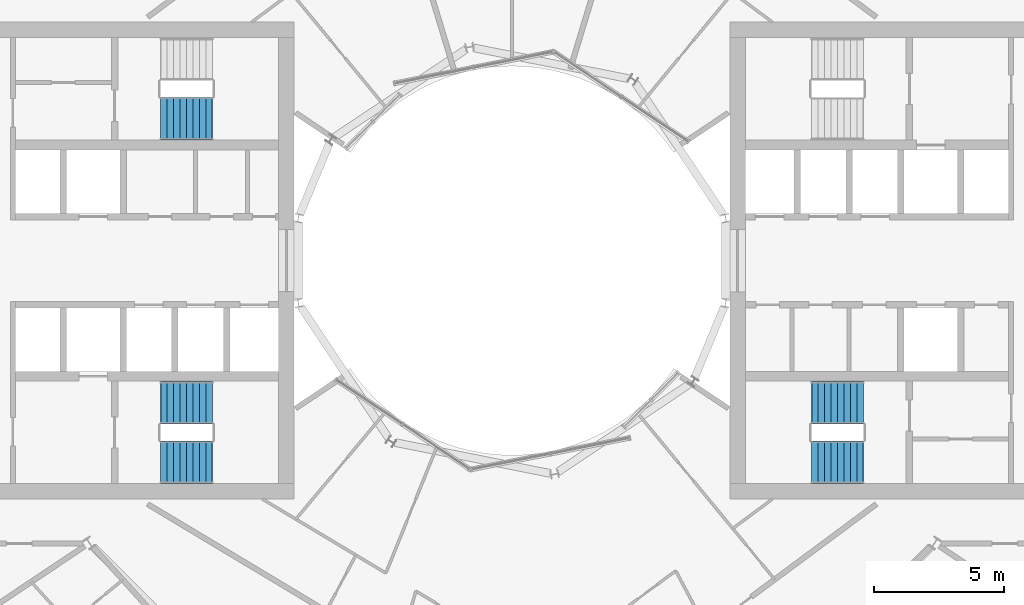
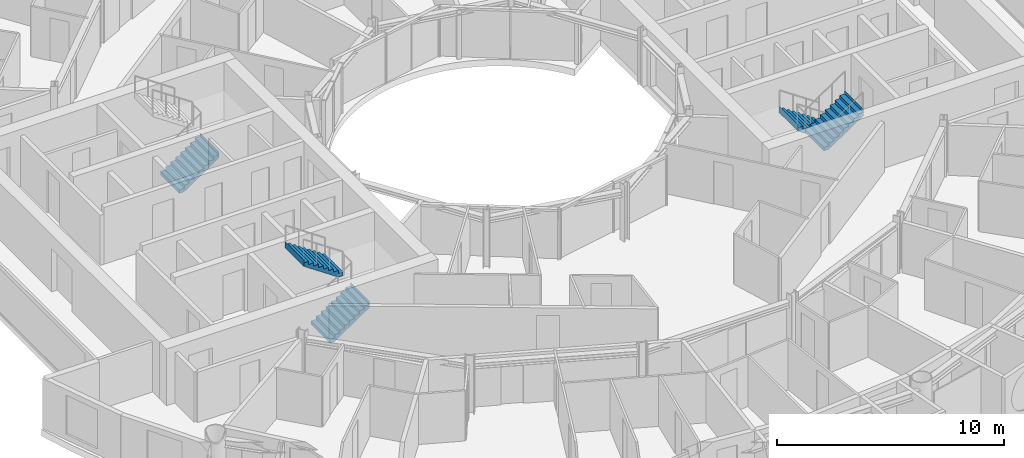
# One storey, part 24 of 27: 5 stair flights, 3 elements without a shape of their own.
"""IFC4 building model written with IfcOpenShell, lengths in metres."""

from ifc_helpers import new_model, si_unit, direction, frame, origin, place, context, subcontext, project, spatial, triangles, material, type_object, element, aggregate, save


model = new_model("IFC4")

# Units and contexts
model_context = context("Model", 3, precision=1e-05, world=origin(), true_north=direction((0.0, 1.0)))
body_context = subcontext(model_context, "Body", "Model", "MODEL_VIEW")
ifc_project = project(units=[si_unit("LENGTHUNIT", "METRE"), si_unit("AREAUNIT", "SQUARE_METRE"), si_unit("VOLUMEUNIT", "CUBIC_METRE"), si_unit("PLANEANGLEUNIT", "RADIAN"), si_unit("MASSUNIT", "GRAM", prefix="KILO")], contexts=[model_context])

# Site, building, storey
site_placement = place(None, origin())
site = spatial("IfcSite", under=ifc_project, at=site_placement, CompositionType="ELEMENT")
building_placement = place(site_placement, origin())
building = spatial("IfcBuilding", under=site, at=building_placement, Name="Maasbend Ring Residences", CompositionType="ELEMENT")
storey_placement = place(building_placement, frame((0.0, 0.0, 120.800048828125)))
storey = spatial("IfcBuildingStorey", under=building, at=storey_placement, Name="L34", CompositionType="ELEMENT", Elevation=120.800048828125)

# Stair, stair flights
ifc_material_1 = material(Name="Concrete C40/50", Category="concrete")
stair_type = type_object("IfcStairType", Name="CORE STAIR 18 RISERS", PredefinedType="HALF_TURN_STAIR", material=ifc_material_1)
stair_1_placement = place(storey_placement, origin())
stair_1 = element("IfcStair", 1, at=stair_1_placement, inside=storey, type_object=stair_type, Name="L34 Exit stair ST-E2", PredefinedType="HALF_TURN_STAIR")
ifc_material_2 = material(Name="Concrete C40/50", Category="concrete")
stair_flight_type = type_object("IfcStairFlightType", Name="CORE STAIR FLIGHT 1650", PredefinedType="STRAIGHT", material=ifc_material_2)
stair_flight_1_placement = place(storey_placement, frame((13.550048828125, -5.47509765625, 0.0), z_axis=(0.0, 0.0, 1.0), x_axis=(-1.0, 0.0, 0.0)))
stair_flight_1 = element("IfcStairFlight", 2, at=stair_flight_1_placement, type_object=stair_flight_type, Name="ST-E2 flight 1", NumberOfRisers=9, NumberOfTreads=8, PredefinedType="STRAIGHT", RiserHeight=0.169444444, TreadLength=0.25, context=body_context, shape_type="Tessellation", body=[
    triangles([(0.24072265625, 0.824951171875, -0.02001953125), (2.0029296875, 0.824951171875, 1.174560546875), (2.0029296875, 0.824951171875, 1.52490234375), (1.989990234375, 0.824951171875, 1.35546875), (1.75, 0.824951171875, 1.35546875), (1.75, 0.824951171875, 1.18603515625), (1.5, 0.824951171875, 1.18603515625), (1.5, 0.824951171875, 1.0166015625), (1.25, 0.824951171875, 1.0166015625), (1.25, 0.824951171875, 0.84716796875), (1.0, 0.824951171875, 0.84716796875), (1.0, 0.824951171875, 0.677734375), (0.75, 0.824951171875, 0.677734375), (0.75, 0.824951171875, 0.50830078125), (0.5, 0.824951171875, 0.50830078125), (0.5, 0.824951171875, 0.3388671875), (0.25, 0.824951171875, 0.3388671875), (0.25, 0.824951171875, 0.16943359375), (0.0, 0.824951171875, 0.16943359375), (0.0, 0.824951171875, 0.0), (-0.0029296875, 0.824951171875, 0.0), (-0.0029296875, 0.824951171875, -0.02001953125), (0.24072265625, 0.27490234375, -0.02001953125), (2.0029296875, 0.27490234375, 1.174560546875), (2.0029296875, 0.27490234375, 1.52490234375), (1.989990234375, 0.27490234375, 1.35546875), (1.75, 0.27490234375, 1.35546875), (1.75, 0.27490234375, 1.18603515625), (1.5, 0.27490234375, 1.18603515625), (1.5, 0.27490234375, 1.0166015625), (1.25, 0.27490234375, 1.0166015625), (1.25, 0.27490234375, 0.84716796875), (1.0, 0.27490234375, 0.84716796875), (1.0, 0.27490234375, 0.677734375), (0.75, 0.27490234375, 0.677734375), (0.75, 0.27490234375, 0.50830078125), (0.5, 0.27490234375, 0.50830078125), (0.5, 0.27490234375, 0.3388671875), (0.25, 0.27490234375, 0.3388671875), (0.25, 0.27490234375, 0.16943359375), (0.0, 0.27490234375, 0.16943359375), (0.0, 0.27490234375, 0.0), (-0.0029296875, 0.27490234375, 0.0), (-0.0029296875, 0.27490234375, -0.02001953125), (0.24072265625, -0.27490234375, -0.02001953125), (2.0029296875, -0.27490234375, 1.174560546875), (2.0029296875, -0.27490234375, 1.52490234375), (1.989990234375, -0.27490234375, 1.35546875), (1.75, -0.27490234375, 1.35546875), (1.75, -0.27490234375, 1.18603515625), (1.5, -0.27490234375, 1.18603515625), (1.5, -0.27490234375, 1.0166015625), (1.25, -0.27490234375, 1.0166015625), (1.25, -0.27490234375, 0.84716796875), (1.0, -0.27490234375, 0.84716796875), (1.0, -0.27490234375, 0.677734375), (0.75, -0.27490234375, 0.677734375), (0.75, -0.27490234375, 0.50830078125), (0.5, -0.27490234375, 0.50830078125), (0.5, -0.27490234375, 0.3388671875), (0.25, -0.27490234375, 0.3388671875), (0.25, -0.27490234375, 0.16943359375), (0.0, -0.27490234375, 0.16943359375), (0.0, -0.27490234375, 0.0), (-0.0029296875, -0.27490234375, 0.0), (-0.0029296875, -0.27490234375, -0.02001953125), (0.24072265625, -0.824951171875, -0.02001953125), (2.0029296875, -0.824951171875, 1.174560546875), (2.0029296875, -0.824951171875, 1.52490234375), (1.989990234375, -0.824951171875, 1.35546875), (1.75, -0.824951171875, 1.35546875), (1.75, -0.824951171875, 1.18603515625), (1.5, -0.824951171875, 1.18603515625), (1.5, -0.824951171875, 1.0166015625), (1.25, -0.824951171875, 1.0166015625), (1.25, -0.824951171875, 0.84716796875), (1.0, -0.824951171875, 0.84716796875), (1.0, -0.824951171875, 0.677734375), (0.75, -0.824951171875, 0.677734375), (0.75, -0.824951171875, 0.50830078125), (0.5, -0.824951171875, 0.50830078125), (0.5, -0.824951171875, 0.3388671875), (0.25, -0.824951171875, 0.3388671875), (0.25, -0.824951171875, 0.16943359375), (0.0, -0.824951171875, 0.16943359375), (0.0, -0.824951171875, 0.0), (-0.0029296875, -0.824951171875, 0.0), (-0.0029296875, -0.824951171875, -0.02001953125)], [[1, 2, 24], [1, 24, 23], [23, 24, 46], [23, 46, 45], [45, 46, 68], [45, 68, 67], [2, 3, 25], [2, 25, 24], [24, 25, 47], [24, 47, 46], [46, 47, 69], [46, 69, 68], [3, 4, 26], [3, 26, 25], [25, 26, 48], [25, 48, 47], [47, 48, 70], [47, 70, 69], [4, 5, 27], [4, 27, 26], [26, 27, 49], [26, 49, 48], [48, 49, 71], [48, 71, 70], [5, 6, 28], [5, 28, 27], [27, 28, 50], [27, 50, 49], [49, 50, 72], [49, 72, 71], [6, 7, 29], [6, 29, 28], [28, 29, 51], [28, 51, 50], [50, 51, 73], [50, 73, 72], [7, 8, 30], [7, 30, 29], [29, 30, 52], [29, 52, 51], [51, 52, 74], [51, 74, 73], [8, 9, 31], [8, 31, 30], [30, 31, 53], [30, 53, 52], [52, 53, 75], [52, 75, 74], [9, 10, 32], [9, 32, 31], [31, 32, 54], [31, 54, 53], [53, 54, 76], [53, 76, 75], [10, 11, 33], [10, 33, 32], [32, 33, 55], [32, 55, 54], [54, 55, 77], [54, 77, 76], [11, 12, 34], [11, 34, 33], [33, 34, 56], [33, 56, 55], [55, 56, 78], [55, 78, 77], [12, 13, 35], [12, 35, 34], [34, 35, 57], [34, 57, 56], [56, 57, 79], [56, 79, 78], [13, 14, 36], [13, 36, 35], [35, 36, 58], [35, 58, 57], [57, 58, 80], [57, 80, 79], [14, 15, 37], [14, 37, 36], [36, 37, 59], [36, 59, 58], [58, 59, 81], [58, 81, 80], [15, 16, 38], [15, 38, 37], [37, 38, 60], [37, 60, 59], [59, 60, 82], [59, 82, 81], [16, 17, 39], [16, 39, 38], [38, 39, 61], [38, 61, 60], [60, 61, 83], [60, 83, 82], [17, 18, 40], [17, 40, 39], [39, 40, 62], [39, 62, 61], [61, 62, 84], [61, 84, 83], [18, 19, 41], [18, 41, 40], [40, 41, 63], [40, 63, 62], [62, 63, 85], [62, 85, 84], [19, 20, 42], [19, 42, 41], [41, 42, 64], [41, 64, 63], [63, 64, 86], [63, 86, 85], [20, 21, 43], [20, 43, 42], [42, 43, 65], [42, 65, 64], [64, 65, 87], [64, 87, 86], [21, 22, 44], [21, 44, 43], [43, 44, 66], [43, 66, 65], [65, 66, 88], [65, 88, 87], [22, 1, 23], [22, 23, 44], [44, 23, 45], [44, 45, 66], [66, 45, 67], [66, 67, 88], [22, 2, 1], [2, 4, 3], [2, 5, 4], [2, 6, 5], [22, 6, 2], [6, 8, 7], [22, 8, 6], [8, 10, 9], [22, 10, 8], [10, 12, 11], [22, 12, 10], [12, 14, 13], [22, 14, 12], [14, 16, 15], [22, 16, 14], [16, 18, 17], [22, 18, 16], [18, 20, 19], [22, 20, 18], [20, 22, 21], [88, 67, 68], [68, 69, 70], [68, 70, 71], [68, 71, 72], [88, 68, 72], [72, 73, 74], [88, 72, 74], [74, 75, 76], [88, 74, 76], [76, 77, 78], [88, 76, 78], [78, 79, 80], [88, 78, 80], [80, 81, 82], [88, 80, 82], [82, 83, 84], [88, 82, 84], [84, 85, 86], [88, 84, 86], [86, 87, 88]], closed=True),
])
stair_flight_2_placement = place(storey_placement, frame((11.550048828125, -7.77490234375, 1.52490234375), z_axis=(0.0, 0.0, 1.0), x_axis=(1.0, 0.0, 0.0)))
stair_flight_2 = element("IfcStairFlight", 3, at=stair_flight_2_placement, type_object=stair_flight_type, Name="ST-E2 flight 2", NumberOfRisers=9, NumberOfTreads=8, PredefinedType="STRAIGHT", RiserHeight=0.169444444, TreadLength=0.25, context=body_context, shape_type="Tessellation", body=[
    triangles([(0.24072265625, 0.824951171875, -0.02001953125), (2.0029296875, 0.824951171875, 1.174560546875), (2.0029296875, 0.824951171875, 1.52490234375), (1.989990234375, 0.824951171875, 1.35546875), (1.75, 0.824951171875, 1.35546875), (1.75, 0.824951171875, 1.18603515625), (1.5, 0.824951171875, 1.18603515625), (1.5, 0.824951171875, 1.0166015625), (1.25, 0.824951171875, 1.0166015625), (1.25, 0.824951171875, 0.84716796875), (1.0, 0.824951171875, 0.84716796875), (1.0, 0.824951171875, 0.677734375), (0.75, 0.824951171875, 0.677734375), (0.75, 0.824951171875, 0.50830078125), (0.5, 0.824951171875, 0.50830078125), (0.5, 0.824951171875, 0.3388671875), (0.25, 0.824951171875, 0.3388671875), (0.25, 0.824951171875, 0.16943359375), (0.0, 0.824951171875, 0.16943359375), (0.0, 0.824951171875, 0.0), (-0.0029296875, 0.824951171875, 0.0), (-0.0029296875, 0.824951171875, -0.02001953125), (0.24072265625, 0.27490234375, -0.02001953125), (2.0029296875, 0.27490234375, 1.174560546875), (2.0029296875, 0.27490234375, 1.52490234375), (1.989990234375, 0.27490234375, 1.35546875), (1.75, 0.27490234375, 1.35546875), (1.75, 0.27490234375, 1.18603515625), (1.5, 0.27490234375, 1.18603515625), (1.5, 0.27490234375, 1.0166015625), (1.25, 0.27490234375, 1.0166015625), (1.25, 0.27490234375, 0.84716796875), (1.0, 0.27490234375, 0.84716796875), (1.0, 0.27490234375, 0.677734375), (0.75, 0.27490234375, 0.677734375), (0.75, 0.27490234375, 0.50830078125), (0.5, 0.27490234375, 0.50830078125), (0.5, 0.27490234375, 0.3388671875), (0.25, 0.27490234375, 0.3388671875), (0.25, 0.27490234375, 0.16943359375), (0.0, 0.27490234375, 0.16943359375), (0.0, 0.27490234375, 0.0), (-0.0029296875, 0.27490234375, 0.0), (-0.0029296875, 0.27490234375, -0.02001953125), (0.24072265625, -0.27490234375, -0.02001953125), (2.0029296875, -0.27490234375, 1.174560546875), (2.0029296875, -0.27490234375, 1.52490234375), (1.989990234375, -0.27490234375, 1.35546875), (1.75, -0.27490234375, 1.35546875), (1.75, -0.27490234375, 1.18603515625), (1.5, -0.27490234375, 1.18603515625), (1.5, -0.27490234375, 1.0166015625), (1.25, -0.27490234375, 1.0166015625), (1.25, -0.27490234375, 0.84716796875), (1.0, -0.27490234375, 0.84716796875), (1.0, -0.27490234375, 0.677734375), (0.75, -0.27490234375, 0.677734375), (0.75, -0.27490234375, 0.50830078125), (0.5, -0.27490234375, 0.50830078125), (0.5, -0.27490234375, 0.3388671875), (0.25, -0.27490234375, 0.3388671875), (0.25, -0.27490234375, 0.16943359375), (0.0, -0.27490234375, 0.16943359375), (0.0, -0.27490234375, 0.0), (-0.0029296875, -0.27490234375, 0.0), (-0.0029296875, -0.27490234375, -0.02001953125), (0.24072265625, -0.824951171875, -0.02001953125), (2.0029296875, -0.824951171875, 1.174560546875), (2.0029296875, -0.824951171875, 1.52490234375), (1.989990234375, -0.824951171875, 1.35546875), (1.75, -0.824951171875, 1.35546875), (1.75, -0.824951171875, 1.18603515625), (1.5, -0.824951171875, 1.18603515625), (1.5, -0.824951171875, 1.0166015625), (1.25, -0.824951171875, 1.0166015625), (1.25, -0.824951171875, 0.84716796875), (1.0, -0.824951171875, 0.84716796875), (1.0, -0.824951171875, 0.677734375), (0.75, -0.824951171875, 0.677734375), (0.75, -0.824951171875, 0.50830078125), (0.5, -0.824951171875, 0.50830078125), (0.5, -0.824951171875, 0.3388671875), (0.25, -0.824951171875, 0.3388671875), (0.25, -0.824951171875, 0.16943359375), (0.0, -0.824951171875, 0.16943359375), (0.0, -0.824951171875, 0.0), (-0.0029296875, -0.824951171875, 0.0), (-0.0029296875, -0.824951171875, -0.02001953125)], [[1, 2, 24], [1, 24, 23], [23, 24, 46], [23, 46, 45], [45, 46, 68], [45, 68, 67], [2, 3, 25], [2, 25, 24], [24, 25, 47], [24, 47, 46], [46, 47, 69], [46, 69, 68], [3, 4, 26], [3, 26, 25], [25, 26, 48], [25, 48, 47], [47, 48, 70], [47, 70, 69], [4, 5, 27], [4, 27, 26], [26, 27, 49], [26, 49, 48], [48, 49, 71], [48, 71, 70], [5, 6, 28], [5, 28, 27], [27, 28, 50], [27, 50, 49], [49, 50, 72], [49, 72, 71], [6, 7, 29], [6, 29, 28], [28, 29, 51], [28, 51, 50], [50, 51, 73], [50, 73, 72], [7, 8, 30], [7, 30, 29], [29, 30, 52], [29, 52, 51], [51, 52, 74], [51, 74, 73], [8, 9, 31], [8, 31, 30], [30, 31, 53], [30, 53, 52], [52, 53, 75], [52, 75, 74], [9, 10, 32], [9, 32, 31], [31, 32, 54], [31, 54, 53], [53, 54, 76], [53, 76, 75], [10, 11, 33], [10, 33, 32], [32, 33, 55], [32, 55, 54], [54, 55, 77], [54, 77, 76], [11, 12, 34], [11, 34, 33], [33, 34, 56], [33, 56, 55], [55, 56, 78], [55, 78, 77], [12, 13, 35], [12, 35, 34], [34, 35, 57], [34, 57, 56], [56, 57, 79], [56, 79, 78], [13, 14, 36], [13, 36, 35], [35, 36, 58], [35, 58, 57], [57, 58, 80], [57, 80, 79], [14, 15, 37], [14, 37, 36], [36, 37, 59], [36, 59, 58], [58, 59, 81], [58, 81, 80], [15, 16, 38], [15, 38, 37], [37, 38, 60], [37, 60, 59], [59, 60, 82], [59, 82, 81], [16, 17, 39], [16, 39, 38], [38, 39, 61], [38, 61, 60], [60, 61, 83], [60, 83, 82], [17, 18, 40], [17, 40, 39], [39, 40, 62], [39, 62, 61], [61, 62, 84], [61, 84, 83], [18, 19, 41], [18, 41, 40], [40, 41, 63], [40, 63, 62], [62, 63, 85], [62, 85, 84], [19, 20, 42], [19, 42, 41], [41, 42, 64], [41, 64, 63], [63, 64, 86], [63, 86, 85], [20, 21, 43], [20, 43, 42], [42, 43, 65], [42, 65, 64], [64, 65, 87], [64, 87, 86], [21, 22, 44], [21, 44, 43], [43, 44, 66], [43, 66, 65], [65, 66, 88], [65, 88, 87], [22, 1, 23], [22, 23, 44], [44, 23, 45], [44, 45, 66], [66, 45, 67], [66, 67, 88], [22, 2, 1], [2, 4, 3], [2, 5, 4], [2, 6, 5], [22, 6, 2], [6, 8, 7], [22, 8, 6], [8, 10, 9], [22, 10, 8], [10, 12, 11], [22, 12, 10], [12, 14, 13], [22, 14, 12], [14, 16, 15], [22, 16, 14], [16, 18, 17], [22, 18, 16], [18, 20, 19], [22, 20, 18], [20, 22, 21], [88, 67, 68], [68, 69, 70], [68, 70, 71], [68, 71, 72], [88, 68, 72], [72, 73, 74], [88, 72, 74], [74, 75, 76], [88, 74, 76], [76, 77, 78], [88, 76, 78], [78, 79, 80], [88, 78, 80], [80, 81, 82], [88, 80, 82], [82, 83, 84], [88, 82, 84], [84, 85, 86], [88, 84, 86], [86, 87, 88]], closed=True),
])
aggregate(stair_1, [stair_flight_1, stair_flight_2])

stair_2_placement = place(storey_placement, origin())
stair_2 = element("IfcStair", 4, at=stair_2_placement, inside=storey, type_object=stair_type, Name="L34 Exit stair ST-W1", PredefinedType="HALF_TURN_STAIR")
stair_flight_3_placement = place(storey_placement, frame((-13.550048828125, -7.77490234375, 0.0), z_axis=(0.0, 0.0, 1.0), x_axis=(1.0, 0.0, 0.0)))
stair_flight_3 = element("IfcStairFlight", 5, at=stair_flight_3_placement, type_object=stair_flight_type, Name="ST-W1 flight 1", NumberOfRisers=9, NumberOfTreads=8, PredefinedType="STRAIGHT", RiserHeight=0.169444444, TreadLength=0.25, context=body_context, shape_type="Tessellation", body=[
    triangles([(0.24072265625, 0.824951171875, -0.02001953125), (2.0029296875, 0.824951171875, 1.174560546875), (2.0029296875, 0.824951171875, 1.52490234375), (1.989990234375, 0.824951171875, 1.35546875), (1.75, 0.824951171875, 1.35546875), (1.75, 0.824951171875, 1.18603515625), (1.5, 0.824951171875, 1.18603515625), (1.5, 0.824951171875, 1.0166015625), (1.25, 0.824951171875, 1.0166015625), (1.25, 0.824951171875, 0.84716796875), (1.0, 0.824951171875, 0.84716796875), (1.0, 0.824951171875, 0.677734375), (0.75, 0.824951171875, 0.677734375), (0.75, 0.824951171875, 0.50830078125), (0.5, 0.824951171875, 0.50830078125), (0.5, 0.824951171875, 0.3388671875), (0.25, 0.824951171875, 0.3388671875), (0.25, 0.824951171875, 0.16943359375), (0.0, 0.824951171875, 0.16943359375), (0.0, 0.824951171875, 0.0), (-0.0029296875, 0.824951171875, 0.0), (-0.0029296875, 0.824951171875, -0.02001953125), (0.24072265625, 0.27490234375, -0.02001953125), (2.0029296875, 0.27490234375, 1.174560546875), (2.0029296875, 0.27490234375, 1.52490234375), (1.989990234375, 0.27490234375, 1.35546875), (1.75, 0.27490234375, 1.35546875), (1.75, 0.27490234375, 1.18603515625), (1.5, 0.27490234375, 1.18603515625), (1.5, 0.27490234375, 1.0166015625), (1.25, 0.27490234375, 1.0166015625), (1.25, 0.27490234375, 0.84716796875), (1.0, 0.27490234375, 0.84716796875), (1.0, 0.27490234375, 0.677734375), (0.75, 0.27490234375, 0.677734375), (0.75, 0.27490234375, 0.50830078125), (0.5, 0.27490234375, 0.50830078125), (0.5, 0.27490234375, 0.3388671875), (0.25, 0.27490234375, 0.3388671875), (0.25, 0.27490234375, 0.16943359375), (0.0, 0.27490234375, 0.16943359375), (0.0, 0.27490234375, 0.0), (-0.0029296875, 0.27490234375, 0.0), (-0.0029296875, 0.27490234375, -0.02001953125), (0.24072265625, -0.27490234375, -0.02001953125), (2.0029296875, -0.27490234375, 1.174560546875), (2.0029296875, -0.27490234375, 1.52490234375), (1.989990234375, -0.27490234375, 1.35546875), (1.75, -0.27490234375, 1.35546875), (1.75, -0.27490234375, 1.18603515625), (1.5, -0.27490234375, 1.18603515625), (1.5, -0.27490234375, 1.0166015625), (1.25, -0.27490234375, 1.0166015625), (1.25, -0.27490234375, 0.84716796875), (1.0, -0.27490234375, 0.84716796875), (1.0, -0.27490234375, 0.677734375), (0.75, -0.27490234375, 0.677734375), (0.75, -0.27490234375, 0.50830078125), (0.5, -0.27490234375, 0.50830078125), (0.5, -0.27490234375, 0.3388671875), (0.25, -0.27490234375, 0.3388671875), (0.25, -0.27490234375, 0.16943359375), (0.0, -0.27490234375, 0.16943359375), (0.0, -0.27490234375, 0.0), (-0.0029296875, -0.27490234375, 0.0), (-0.0029296875, -0.27490234375, -0.02001953125), (0.24072265625, -0.824951171875, -0.02001953125), (2.0029296875, -0.824951171875, 1.174560546875), (2.0029296875, -0.824951171875, 1.52490234375), (1.989990234375, -0.824951171875, 1.35546875), (1.75, -0.824951171875, 1.35546875), (1.75, -0.824951171875, 1.18603515625), (1.5, -0.824951171875, 1.18603515625), (1.5, -0.824951171875, 1.0166015625), (1.25, -0.824951171875, 1.0166015625), (1.25, -0.824951171875, 0.84716796875), (1.0, -0.824951171875, 0.84716796875), (1.0, -0.824951171875, 0.677734375), (0.75, -0.824951171875, 0.677734375), (0.75, -0.824951171875, 0.50830078125), (0.5, -0.824951171875, 0.50830078125), (0.5, -0.824951171875, 0.3388671875), (0.25, -0.824951171875, 0.3388671875), (0.25, -0.824951171875, 0.16943359375), (0.0, -0.824951171875, 0.16943359375), (0.0, -0.824951171875, 0.0), (-0.0029296875, -0.824951171875, 0.0), (-0.0029296875, -0.824951171875, -0.02001953125)], [[1, 2, 24], [1, 24, 23], [23, 24, 46], [23, 46, 45], [45, 46, 68], [45, 68, 67], [2, 3, 25], [2, 25, 24], [24, 25, 47], [24, 47, 46], [46, 47, 69], [46, 69, 68], [3, 4, 26], [3, 26, 25], [25, 26, 48], [25, 48, 47], [47, 48, 70], [47, 70, 69], [4, 5, 27], [4, 27, 26], [26, 27, 49], [26, 49, 48], [48, 49, 71], [48, 71, 70], [5, 6, 28], [5, 28, 27], [27, 28, 50], [27, 50, 49], [49, 50, 72], [49, 72, 71], [6, 7, 29], [6, 29, 28], [28, 29, 51], [28, 51, 50], [50, 51, 73], [50, 73, 72], [7, 8, 30], [7, 30, 29], [29, 30, 52], [29, 52, 51], [51, 52, 74], [51, 74, 73], [8, 9, 31], [8, 31, 30], [30, 31, 53], [30, 53, 52], [52, 53, 75], [52, 75, 74], [9, 10, 32], [9, 32, 31], [31, 32, 54], [31, 54, 53], [53, 54, 76], [53, 76, 75], [10, 11, 33], [10, 33, 32], [32, 33, 55], [32, 55, 54], [54, 55, 77], [54, 77, 76], [11, 12, 34], [11, 34, 33], [33, 34, 56], [33, 56, 55], [55, 56, 78], [55, 78, 77], [12, 13, 35], [12, 35, 34], [34, 35, 57], [34, 57, 56], [56, 57, 79], [56, 79, 78], [13, 14, 36], [13, 36, 35], [35, 36, 58], [35, 58, 57], [57, 58, 80], [57, 80, 79], [14, 15, 37], [14, 37, 36], [36, 37, 59], [36, 59, 58], [58, 59, 81], [58, 81, 80], [15, 16, 38], [15, 38, 37], [37, 38, 60], [37, 60, 59], [59, 60, 82], [59, 82, 81], [16, 17, 39], [16, 39, 38], [38, 39, 61], [38, 61, 60], [60, 61, 83], [60, 83, 82], [17, 18, 40], [17, 40, 39], [39, 40, 62], [39, 62, 61], [61, 62, 84], [61, 84, 83], [18, 19, 41], [18, 41, 40], [40, 41, 63], [40, 63, 62], [62, 63, 85], [62, 85, 84], [19, 20, 42], [19, 42, 41], [41, 42, 64], [41, 64, 63], [63, 64, 86], [63, 86, 85], [20, 21, 43], [20, 43, 42], [42, 43, 65], [42, 65, 64], [64, 65, 87], [64, 87, 86], [21, 22, 44], [21, 44, 43], [43, 44, 66], [43, 66, 65], [65, 66, 88], [65, 88, 87], [22, 1, 23], [22, 23, 44], [44, 23, 45], [44, 45, 66], [66, 45, 67], [66, 67, 88], [22, 2, 1], [2, 4, 3], [2, 5, 4], [2, 6, 5], [22, 6, 2], [6, 8, 7], [22, 8, 6], [8, 10, 9], [22, 10, 8], [10, 12, 11], [22, 12, 10], [12, 14, 13], [22, 14, 12], [14, 16, 15], [22, 16, 14], [16, 18, 17], [22, 18, 16], [18, 20, 19], [22, 20, 18], [20, 22, 21], [88, 67, 68], [68, 69, 70], [68, 70, 71], [68, 71, 72], [88, 68, 72], [72, 73, 74], [88, 72, 74], [74, 75, 76], [88, 74, 76], [76, 77, 78], [88, 76, 78], [78, 79, 80], [88, 78, 80], [80, 81, 82], [88, 80, 82], [82, 83, 84], [88, 82, 84], [84, 85, 86], [88, 84, 86], [86, 87, 88]], closed=True),
])
stair_flight_4_placement = place(storey_placement, frame((-11.550048828125, -5.47509765625, 1.52490234375), z_axis=(0.0, 0.0, 1.0), x_axis=(-1.0, 0.0, 0.0)))
stair_flight_4 = element("IfcStairFlight", 6, at=stair_flight_4_placement, type_object=stair_flight_type, Name="ST-W1 flight 2", NumberOfRisers=9, NumberOfTreads=8, PredefinedType="STRAIGHT", RiserHeight=0.169444444, TreadLength=0.25, context=body_context, shape_type="Tessellation", body=[
    triangles([(0.24072265625, 0.824951171875, -0.02001953125), (2.0029296875, 0.824951171875, 1.174560546875), (2.0029296875, 0.824951171875, 1.52490234375), (1.989990234375, 0.824951171875, 1.35546875), (1.75, 0.824951171875, 1.35546875), (1.75, 0.824951171875, 1.18603515625), (1.5, 0.824951171875, 1.18603515625), (1.5, 0.824951171875, 1.0166015625), (1.25, 0.824951171875, 1.0166015625), (1.25, 0.824951171875, 0.84716796875), (1.0, 0.824951171875, 0.84716796875), (1.0, 0.824951171875, 0.677734375), (0.75, 0.824951171875, 0.677734375), (0.75, 0.824951171875, 0.50830078125), (0.5, 0.824951171875, 0.50830078125), (0.5, 0.824951171875, 0.3388671875), (0.25, 0.824951171875, 0.3388671875), (0.25, 0.824951171875, 0.16943359375), (0.0, 0.824951171875, 0.16943359375), (0.0, 0.824951171875, 0.0), (-0.0029296875, 0.824951171875, 0.0), (-0.0029296875, 0.824951171875, -0.02001953125), (0.24072265625, 0.27490234375, -0.02001953125), (2.0029296875, 0.27490234375, 1.174560546875), (2.0029296875, 0.27490234375, 1.52490234375), (1.989990234375, 0.27490234375, 1.35546875), (1.75, 0.27490234375, 1.35546875), (1.75, 0.27490234375, 1.18603515625), (1.5, 0.27490234375, 1.18603515625), (1.5, 0.27490234375, 1.0166015625), (1.25, 0.27490234375, 1.0166015625), (1.25, 0.27490234375, 0.84716796875), (1.0, 0.27490234375, 0.84716796875), (1.0, 0.27490234375, 0.677734375), (0.75, 0.27490234375, 0.677734375), (0.75, 0.27490234375, 0.50830078125), (0.5, 0.27490234375, 0.50830078125), (0.5, 0.27490234375, 0.3388671875), (0.25, 0.27490234375, 0.3388671875), (0.25, 0.27490234375, 0.16943359375), (0.0, 0.27490234375, 0.16943359375), (0.0, 0.27490234375, 0.0), (-0.0029296875, 0.27490234375, 0.0), (-0.0029296875, 0.27490234375, -0.02001953125), (0.24072265625, -0.27490234375, -0.02001953125), (2.0029296875, -0.27490234375, 1.174560546875), (2.0029296875, -0.27490234375, 1.52490234375), (1.989990234375, -0.27490234375, 1.35546875), (1.75, -0.27490234375, 1.35546875), (1.75, -0.27490234375, 1.18603515625), (1.5, -0.27490234375, 1.18603515625), (1.5, -0.27490234375, 1.0166015625), (1.25, -0.27490234375, 1.0166015625), (1.25, -0.27490234375, 0.84716796875), (1.0, -0.27490234375, 0.84716796875), (1.0, -0.27490234375, 0.677734375), (0.75, -0.27490234375, 0.677734375), (0.75, -0.27490234375, 0.50830078125), (0.5, -0.27490234375, 0.50830078125), (0.5, -0.27490234375, 0.3388671875), (0.25, -0.27490234375, 0.3388671875), (0.25, -0.27490234375, 0.16943359375), (0.0, -0.27490234375, 0.16943359375), (0.0, -0.27490234375, 0.0), (-0.0029296875, -0.27490234375, 0.0), (-0.0029296875, -0.27490234375, -0.02001953125), (0.24072265625, -0.824951171875, -0.02001953125), (2.0029296875, -0.824951171875, 1.174560546875), (2.0029296875, -0.824951171875, 1.52490234375), (1.989990234375, -0.824951171875, 1.35546875), (1.75, -0.824951171875, 1.35546875), (1.75, -0.824951171875, 1.18603515625), (1.5, -0.824951171875, 1.18603515625), (1.5, -0.824951171875, 1.0166015625), (1.25, -0.824951171875, 1.0166015625), (1.25, -0.824951171875, 0.84716796875), (1.0, -0.824951171875, 0.84716796875), (1.0, -0.824951171875, 0.677734375), (0.75, -0.824951171875, 0.677734375), (0.75, -0.824951171875, 0.50830078125), (0.5, -0.824951171875, 0.50830078125), (0.5, -0.824951171875, 0.3388671875), (0.25, -0.824951171875, 0.3388671875), (0.25, -0.824951171875, 0.16943359375), (0.0, -0.824951171875, 0.16943359375), (0.0, -0.824951171875, 0.0), (-0.0029296875, -0.824951171875, 0.0), (-0.0029296875, -0.824951171875, -0.02001953125)], [[1, 2, 24], [1, 24, 23], [23, 24, 46], [23, 46, 45], [45, 46, 68], [45, 68, 67], [2, 3, 25], [2, 25, 24], [24, 25, 47], [24, 47, 46], [46, 47, 69], [46, 69, 68], [3, 4, 26], [3, 26, 25], [25, 26, 48], [25, 48, 47], [47, 48, 70], [47, 70, 69], [4, 5, 27], [4, 27, 26], [26, 27, 49], [26, 49, 48], [48, 49, 71], [48, 71, 70], [5, 6, 28], [5, 28, 27], [27, 28, 50], [27, 50, 49], [49, 50, 72], [49, 72, 71], [6, 7, 29], [6, 29, 28], [28, 29, 51], [28, 51, 50], [50, 51, 73], [50, 73, 72], [7, 8, 30], [7, 30, 29], [29, 30, 52], [29, 52, 51], [51, 52, 74], [51, 74, 73], [8, 9, 31], [8, 31, 30], [30, 31, 53], [30, 53, 52], [52, 53, 75], [52, 75, 74], [9, 10, 32], [9, 32, 31], [31, 32, 54], [31, 54, 53], [53, 54, 76], [53, 76, 75], [10, 11, 33], [10, 33, 32], [32, 33, 55], [32, 55, 54], [54, 55, 77], [54, 77, 76], [11, 12, 34], [11, 34, 33], [33, 34, 56], [33, 56, 55], [55, 56, 78], [55, 78, 77], [12, 13, 35], [12, 35, 34], [34, 35, 57], [34, 57, 56], [56, 57, 79], [56, 79, 78], [13, 14, 36], [13, 36, 35], [35, 36, 58], [35, 58, 57], [57, 58, 80], [57, 80, 79], [14, 15, 37], [14, 37, 36], [36, 37, 59], [36, 59, 58], [58, 59, 81], [58, 81, 80], [15, 16, 38], [15, 38, 37], [37, 38, 60], [37, 60, 59], [59, 60, 82], [59, 82, 81], [16, 17, 39], [16, 39, 38], [38, 39, 61], [38, 61, 60], [60, 61, 83], [60, 83, 82], [17, 18, 40], [17, 40, 39], [39, 40, 62], [39, 62, 61], [61, 62, 84], [61, 84, 83], [18, 19, 41], [18, 41, 40], [40, 41, 63], [40, 63, 62], [62, 63, 85], [62, 85, 84], [19, 20, 42], [19, 42, 41], [41, 42, 64], [41, 64, 63], [63, 64, 86], [63, 86, 85], [20, 21, 43], [20, 43, 42], [42, 43, 65], [42, 65, 64], [64, 65, 87], [64, 87, 86], [21, 22, 44], [21, 44, 43], [43, 44, 66], [43, 66, 65], [65, 66, 88], [65, 88, 87], [22, 1, 23], [22, 23, 44], [44, 23, 45], [44, 45, 66], [66, 45, 67], [66, 67, 88], [22, 2, 1], [2, 4, 3], [2, 5, 4], [2, 6, 5], [22, 6, 2], [6, 8, 7], [22, 8, 6], [8, 10, 9], [22, 10, 8], [10, 12, 11], [22, 12, 10], [12, 14, 13], [22, 14, 12], [14, 16, 15], [22, 16, 14], [16, 18, 17], [22, 18, 16], [18, 20, 19], [22, 20, 18], [20, 22, 21], [88, 67, 68], [68, 69, 70], [68, 70, 71], [68, 71, 72], [88, 68, 72], [72, 73, 74], [88, 72, 74], [74, 75, 76], [88, 74, 76], [76, 77, 78], [88, 76, 78], [78, 79, 80], [88, 78, 80], [80, 81, 82], [88, 80, 82], [82, 83, 84], [88, 82, 84], [84, 85, 86], [88, 84, 86], [86, 87, 88]], closed=True),
])
aggregate(stair_2, [stair_flight_3, stair_flight_4])

# Stair, stair flight
stair_3_placement = place(storey_placement, origin())
stair_3 = element("IfcStair", 7, at=stair_3_placement, inside=storey, type_object=stair_type, Name="L34 Exit stair ST-W2", PredefinedType="HALF_TURN_STAIR")
stair_flight_5_placement = place(storey_placement, frame((-13.550048828125, 5.47509765625, 0.0), z_axis=(0.0, 0.0, 1.0), x_axis=(1.0, 0.0, 0.0)))
stair_flight_5 = element("IfcStairFlight", 8, at=stair_flight_5_placement, type_object=stair_flight_type, Name="ST-W2 flight 1", NumberOfRisers=9, NumberOfTreads=8, PredefinedType="STRAIGHT", RiserHeight=0.169444444, TreadLength=0.25, context=body_context, shape_type="Tessellation", body=[
    triangles([(0.24072265625, 0.824951171875, -0.02001953125), (2.0029296875, 0.824951171875, 1.174560546875), (2.0029296875, 0.824951171875, 1.52490234375), (1.989990234375, 0.824951171875, 1.35546875), (1.75, 0.824951171875, 1.35546875), (1.75, 0.824951171875, 1.18603515625), (1.5, 0.824951171875, 1.18603515625), (1.5, 0.824951171875, 1.0166015625), (1.25, 0.824951171875, 1.0166015625), (1.25, 0.824951171875, 0.84716796875), (1.0, 0.824951171875, 0.84716796875), (1.0, 0.824951171875, 0.677734375), (0.75, 0.824951171875, 0.677734375), (0.75, 0.824951171875, 0.50830078125), (0.5, 0.824951171875, 0.50830078125), (0.5, 0.824951171875, 0.3388671875), (0.25, 0.824951171875, 0.3388671875), (0.25, 0.824951171875, 0.16943359375), (0.0, 0.824951171875, 0.16943359375), (0.0, 0.824951171875, 0.0), (-0.0029296875, 0.824951171875, 0.0), (-0.0029296875, 0.824951171875, -0.02001953125), (0.24072265625, 0.27490234375, -0.02001953125), (2.0029296875, 0.27490234375, 1.174560546875), (2.0029296875, 0.27490234375, 1.52490234375), (1.989990234375, 0.27490234375, 1.35546875), (1.75, 0.27490234375, 1.35546875), (1.75, 0.27490234375, 1.18603515625), (1.5, 0.27490234375, 1.18603515625), (1.5, 0.27490234375, 1.0166015625), (1.25, 0.27490234375, 1.0166015625), (1.25, 0.27490234375, 0.84716796875), (1.0, 0.27490234375, 0.84716796875), (1.0, 0.27490234375, 0.677734375), (0.75, 0.27490234375, 0.677734375), (0.75, 0.27490234375, 0.50830078125), (0.5, 0.27490234375, 0.50830078125), (0.5, 0.27490234375, 0.3388671875), (0.25, 0.27490234375, 0.3388671875), (0.25, 0.27490234375, 0.16943359375), (0.0, 0.27490234375, 0.16943359375), (0.0, 0.27490234375, 0.0), (-0.0029296875, 0.27490234375, 0.0), (-0.0029296875, 0.27490234375, -0.02001953125), (0.24072265625, -0.27490234375, -0.02001953125), (2.0029296875, -0.27490234375, 1.174560546875), (2.0029296875, -0.27490234375, 1.52490234375), (1.989990234375, -0.27490234375, 1.35546875), (1.75, -0.27490234375, 1.35546875), (1.75, -0.27490234375, 1.18603515625), (1.5, -0.27490234375, 1.18603515625), (1.5, -0.27490234375, 1.0166015625), (1.25, -0.27490234375, 1.0166015625), (1.25, -0.27490234375, 0.84716796875), (1.0, -0.27490234375, 0.84716796875), (1.0, -0.27490234375, 0.677734375), (0.75, -0.27490234375, 0.677734375), (0.75, -0.27490234375, 0.50830078125), (0.5, -0.27490234375, 0.50830078125), (0.5, -0.27490234375, 0.3388671875), (0.25, -0.27490234375, 0.3388671875), (0.25, -0.27490234375, 0.16943359375), (0.0, -0.27490234375, 0.16943359375), (0.0, -0.27490234375, 0.0), (-0.0029296875, -0.27490234375, 0.0), (-0.0029296875, -0.27490234375, -0.02001953125), (0.24072265625, -0.824951171875, -0.02001953125), (2.0029296875, -0.824951171875, 1.174560546875), (2.0029296875, -0.824951171875, 1.52490234375), (1.989990234375, -0.824951171875, 1.35546875), (1.75, -0.824951171875, 1.35546875), (1.75, -0.824951171875, 1.18603515625), (1.5, -0.824951171875, 1.18603515625), (1.5, -0.824951171875, 1.0166015625), (1.25, -0.824951171875, 1.0166015625), (1.25, -0.824951171875, 0.84716796875), (1.0, -0.824951171875, 0.84716796875), (1.0, -0.824951171875, 0.677734375), (0.75, -0.824951171875, 0.677734375), (0.75, -0.824951171875, 0.50830078125), (0.5, -0.824951171875, 0.50830078125), (0.5, -0.824951171875, 0.3388671875), (0.25, -0.824951171875, 0.3388671875), (0.25, -0.824951171875, 0.16943359375), (0.0, -0.824951171875, 0.16943359375), (0.0, -0.824951171875, 0.0), (-0.0029296875, -0.824951171875, 0.0), (-0.0029296875, -0.824951171875, -0.02001953125)], [[1, 2, 24], [1, 24, 23], [23, 24, 46], [23, 46, 45], [45, 46, 68], [45, 68, 67], [2, 3, 25], [2, 25, 24], [24, 25, 47], [24, 47, 46], [46, 47, 69], [46, 69, 68], [3, 4, 26], [3, 26, 25], [25, 26, 48], [25, 48, 47], [47, 48, 70], [47, 70, 69], [4, 5, 27], [4, 27, 26], [26, 27, 49], [26, 49, 48], [48, 49, 71], [48, 71, 70], [5, 6, 28], [5, 28, 27], [27, 28, 50], [27, 50, 49], [49, 50, 72], [49, 72, 71], [6, 7, 29], [6, 29, 28], [28, 29, 51], [28, 51, 50], [50, 51, 73], [50, 73, 72], [7, 8, 30], [7, 30, 29], [29, 30, 52], [29, 52, 51], [51, 52, 74], [51, 74, 73], [8, 9, 31], [8, 31, 30], [30, 31, 53], [30, 53, 52], [52, 53, 75], [52, 75, 74], [9, 10, 32], [9, 32, 31], [31, 32, 54], [31, 54, 53], [53, 54, 76], [53, 76, 75], [10, 11, 33], [10, 33, 32], [32, 33, 55], [32, 55, 54], [54, 55, 77], [54, 77, 76], [11, 12, 34], [11, 34, 33], [33, 34, 56], [33, 56, 55], [55, 56, 78], [55, 78, 77], [12, 13, 35], [12, 35, 34], [34, 35, 57], [34, 57, 56], [56, 57, 79], [56, 79, 78], [13, 14, 36], [13, 36, 35], [35, 36, 58], [35, 58, 57], [57, 58, 80], [57, 80, 79], [14, 15, 37], [14, 37, 36], [36, 37, 59], [36, 59, 58], [58, 59, 81], [58, 81, 80], [15, 16, 38], [15, 38, 37], [37, 38, 60], [37, 60, 59], [59, 60, 82], [59, 82, 81], [16, 17, 39], [16, 39, 38], [38, 39, 61], [38, 61, 60], [60, 61, 83], [60, 83, 82], [17, 18, 40], [17, 40, 39], [39, 40, 62], [39, 62, 61], [61, 62, 84], [61, 84, 83], [18, 19, 41], [18, 41, 40], [40, 41, 63], [40, 63, 62], [62, 63, 85], [62, 85, 84], [19, 20, 42], [19, 42, 41], [41, 42, 64], [41, 64, 63], [63, 64, 86], [63, 86, 85], [20, 21, 43], [20, 43, 42], [42, 43, 65], [42, 65, 64], [64, 65, 87], [64, 87, 86], [21, 22, 44], [21, 44, 43], [43, 44, 66], [43, 66, 65], [65, 66, 88], [65, 88, 87], [22, 1, 23], [22, 23, 44], [44, 23, 45], [44, 45, 66], [66, 45, 67], [66, 67, 88], [22, 2, 1], [2, 4, 3], [2, 5, 4], [2, 6, 5], [22, 6, 2], [6, 8, 7], [22, 8, 6], [8, 10, 9], [22, 10, 8], [10, 12, 11], [22, 12, 10], [12, 14, 13], [22, 14, 12], [14, 16, 15], [22, 16, 14], [16, 18, 17], [22, 18, 16], [18, 20, 19], [22, 20, 18], [20, 22, 21], [88, 67, 68], [68, 69, 70], [68, 70, 71], [68, 71, 72], [88, 68, 72], [72, 73, 74], [88, 72, 74], [74, 75, 76], [88, 74, 76], [76, 77, 78], [88, 76, 78], [78, 79, 80], [88, 78, 80], [80, 81, 82], [88, 80, 82], [82, 83, 84], [88, 82, 84], [84, 85, 86], [88, 84, 86], [86, 87, 88]], closed=True),
])
aggregate(stair_3, [stair_flight_5])

save(model, "model.ifc")
